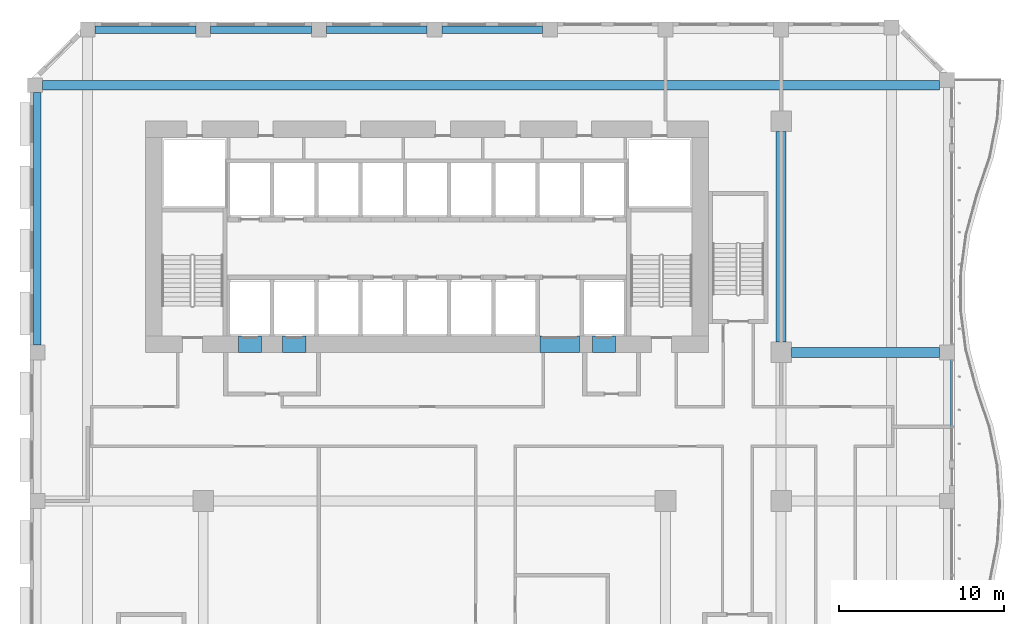
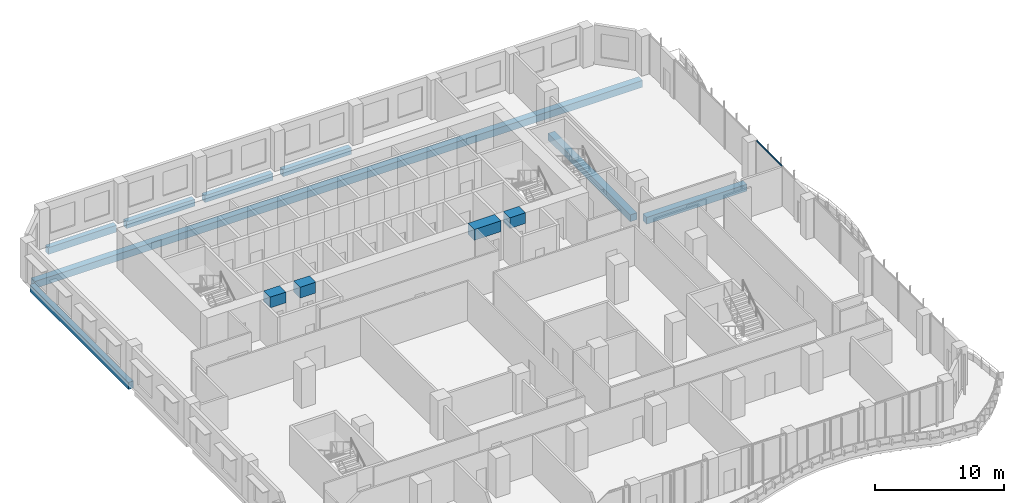
# One storey, part 8 of 26: 12 beams, 1 member, 1 element without a shape of its own.
"""IFC4 building model written with IfcOpenShell, lengths in metres."""

from ifc_helpers import new_model, si_unit, direction, frame, origin, origin_2d, place, context, subcontext, project, spatial, rectangle, extrude, source, transform, mapped, material, material_profile, profile_set, type_object, element, aggregate, save


model = new_model("IFC4")

# Units and contexts
model_context = context("Model", 3, precision=1e-05, world=origin(), true_north=direction((0.0, 1.0)))
body_context = subcontext(model_context, "Body", "Model", "MODEL_VIEW")
ifc_project = project(units=[si_unit("LENGTHUNIT", "METRE"), si_unit("AREAUNIT", "SQUARE_METRE"), si_unit("VOLUMEUNIT", "CUBIC_METRE"), si_unit("PLANEANGLEUNIT", "RADIAN"), si_unit("MASSUNIT", "GRAM", prefix="KILO")], contexts=[model_context])

# Site, building, storey
site_placement = place(None, origin())
site = spatial("IfcSite", under=ifc_project, at=site_placement, CompositionType="ELEMENT")
building_placement = place(site_placement, origin())
building = spatial("IfcBuilding", under=site, at=building_placement, Name="Kilnfold Tower and Market Hall", CompositionType="ELEMENT")
storey_placement = place(building_placement, frame((0.0, 0.0, 83.199951171875)))
storey = spatial("IfcBuildingStorey", under=building, at=storey_placement, Name="L19", CompositionType="ELEMENT", Elevation=83.199951171875)

# Beams
ifc_material_1 = material(Name="Concrete C45", Category="concrete")
ifc_material_profile_1 = material_profile(ifc_material_1, rectangle(XDim=0.449951171875, YDim=0.64990234375, at=origin_2d()), Name="RC 450x650")
ifc_profile_set_1 = profile_set([ifc_material_profile_1], Name="Concrete C45")
beam_type_1 = type_object("IfcBeamType", Name="EDGE BEAM 450X650 C45", PredefinedType="BEAM", material=ifc_profile_set_1)
shared_shape_1 = source(origin(), body_context, "Body", "SweptSolid", [
    extrude(rectangle(XDim=0.449951171875, YDim=0.64990234375, at=origin_2d()), origin(), (0.0, 0.0, 1.0), 6.10009765625),
])
for number, where, z_axis, x_axis, name in (
    (1, (-19.050048828125, 27.550048828125, -0.60498046875), (1.0, 0.0, 0.0), (0.0, 1.0, 0.0), "Beam EB650-B2.75"),
    (2, (-12.050048828125, 27.550048828125, -0.60498046875), (1.0, 0.0, 0.0), (0.0, 1.0, 0.0), "Beam EB650-B2.76"),
    (3, (-5.050048828125, 27.550048828125, -0.60498046875), (1.0, 0.0, 0.0), (0.0, 1.0, 0.0), "Beam EB650-B2.77"),
    (4, (1.949951171875, 27.550048828125, -0.60498046875), (1.0, 0.0, 0.0), (0.0, 1.0, 0.0), "Beam EB650-B2.78"),
):
    element("IfcBeam", number, at=place(storey_placement, frame(where, z_axis=z_axis, x_axis=x_axis)), inside=storey, type_object=beam_type_1, Name=name, PredefinedType="BEAM", context=body_context, shape_type="MappedRepresentation", body=[
        mapped(shared_shape_1, transform((0.0, 0.0, 0.0))),
    ])
ifc_material_2 = material(Name="Concrete C45", Category="concrete")
ifc_material_profile_2 = material_profile(ifc_material_2, rectangle(XDim=0.60009765625, YDim=0.64990234375, at=origin_2d()), Name="RC 600x650")
ifc_profile_set_2 = profile_set([ifc_material_profile_2], Name="Concrete C45")
beam_type_2 = type_object("IfcBeamType", Name="BEAM 600X650 C45", PredefinedType="BEAM", material=ifc_profile_set_2)
shared_shape_2 = source(origin(), body_context, "Body", "SweptSolid", [
    extrude(rectangle(XDim=0.60009765625, YDim=0.64990234375, at=origin_2d()), origin(), (0.0, 0.0, 1.0), 54.331787109375),
])
beam_1_placement = place(storey_placement, frame((-22.231689453125, 24.179931640625, -0.60498046875), z_axis=(1.0, 0.0, 0.0), x_axis=(0.0, 1.0, 0.0)))
element("IfcBeam", 5, at=beam_1_placement, inside=storey, type_object=beam_type_2, Name="Beam BB650-B2.74", PredefinedType="BEAM", context=body_context, shape_type="MappedRepresentation", body=[
    mapped(shared_shape_2, transform((0.0, 0.0, 0.0))),
])
shared_shape_3 = source(origin(), body_context, "Body", "SweptSolid", [
    extrude(rectangle(XDim=0.449951171875, YDim=0.64990234375, at=origin_2d()), origin(), (0.0, 0.0, 1.0), 15.28173828125),
])
beam_2_placement = place(storey_placement, frame((-22.550048828125, 8.449951171875, -0.60498046875), z_axis=(0.0, 1.0, 0.0), x_axis=(-1.0, 0.0, 0.0)))
element("IfcBeam", 6, at=beam_2_placement, inside=storey, type_object=beam_type_1, Name="Beam EB650-B2.41", PredefinedType="BEAM", context=body_context, shape_type="MappedRepresentation", body=[
    mapped(shared_shape_3, transform((0.0, 0.0, 0.0))),
])
ifc_material_3 = material(Name="Concrete C80", Category="concrete")
ifc_material_profile_3 = material_profile(ifc_material_3, rectangle(XDim=1.0, YDim=1.02001953125, at=origin_2d()), Name="RC 1000x1020")
ifc_profile_set_3 = profile_set([ifc_material_profile_3], Name="Concrete C80")
beam_type_3 = type_object("IfcBeamType", Name="COUPLING BEAM 1000X1020 C80", PredefinedType="BEAM", material=ifc_profile_set_3)
shared_shape_4 = source(origin(), body_context, "Body", "SweptSolid", [
    extrude(rectangle(XDim=1.0, YDim=1.02001953125, at=origin_2d()), origin(), (0.0, 0.0, 1.0), 1.400146484375),
])
beam_3_placement = place(storey_placement, frame((-10.3701171875, 8.5, 3.2099609375), z_axis=(1.0, 0.0, 0.0), x_axis=(0.0, 1.0, 0.0)))
element("IfcBeam", 7, at=beam_3_placement, inside=storey, type_object=beam_type_3, Name="Coupling beam CB1020-80-CORE.42", PredefinedType="BEAM", context=body_context, shape_type="MappedRepresentation", body=[
    mapped(shared_shape_4, transform((0.0, 0.0, 0.0))),
])
shared_shape_5 = source(origin(), body_context, "Body", "SweptSolid", [
    extrude(rectangle(XDim=1.0, YDim=1.02001953125, at=origin_2d()), origin(), (0.0, 0.0, 1.0), 1.39990234375),
])
for number, where, z_axis, x_axis, name in (
    (8, (-7.68994140625, 8.5, 3.2099609375), (1.0, 0.0, 0.0), (0.0, 1.0, 0.0), "Coupling beam CB1020-80-CORE.43"),
    (9, (11.070068359375, 8.5, 3.2099609375), (1.0, 0.0, 0.0), (0.0, 1.0, 0.0), "Coupling beam CB1020-80-CORE.45"),
):
    element("IfcBeam", number, at=place(storey_placement, frame(where, z_axis=z_axis, x_axis=x_axis)), inside=storey, type_object=beam_type_3, Name=name, PredefinedType="BEAM", context=body_context, shape_type="MappedRepresentation", body=[
        mapped(shared_shape_5, transform((0.0, 0.0, 0.0))),
    ])
shared_shape_6 = source(origin(), body_context, "Body", "SweptSolid", [
    extrude(rectangle(XDim=1.0, YDim=1.02001953125, at=origin_2d()), origin(), (0.0, 0.0, 1.0), 2.400146484375),
])
beam_4_placement = place(storey_placement, frame((7.889892578125, 8.5, 3.2099609375), z_axis=(1.0, 0.0, 0.0), x_axis=(0.0, 1.0, 0.0)))
element("IfcBeam", 10, at=beam_4_placement, inside=storey, type_object=beam_type_3, Name="Coupling beam CB1020-80-CORE.44", PredefinedType="BEAM", context=body_context, shape_type="MappedRepresentation", body=[
    mapped(shared_shape_6, transform((0.0, 0.0, 0.0))),
])
shared_shape_7 = source(origin(), body_context, "Body", "SweptSolid", [
    extrude(rectangle(XDim=0.60009765625, YDim=0.64990234375, at=origin_2d()), origin(), (0.0, 0.0, 1.0), 8.97509765625),
])
beam_5_placement = place(storey_placement, frame((23.125, 8.0, -0.60498046875), z_axis=(1.0, 0.0, 0.0), x_axis=(0.0, 1.0, 0.0)))
element("IfcBeam", 11, at=beam_5_placement, inside=storey, type_object=beam_type_2, Name="Beam BB650-B2.73", PredefinedType="BEAM", context=body_context, shape_type="MappedRepresentation", body=[
    mapped(shared_shape_7, transform((0.0, 0.0, 0.0))),
])
shared_shape_8 = source(origin(), body_context, "Body", "SweptSolid", [
    extrude(rectangle(XDim=0.60009765625, YDim=0.64990234375, at=origin_2d()), origin(), (0.0, 0.0, 1.0), 12.75),
])
beam_6_placement = place(storey_placement, frame((22.5, 8.625, -0.60498046875), z_axis=(0.0, 1.0, 0.0), x_axis=(-1.0, 0.0, 0.0)))
element("IfcBeam", 12, at=beam_6_placement, inside=storey, type_object=beam_type_2, Name="Beam BB650-B2.97", PredefinedType="BEAM", context=body_context, shape_type="MappedRepresentation", body=[
    mapped(shared_shape_8, transform((0.0, 0.0, 0.0))),
])

# Curtain wall, member
ifc_material_4 = material(Name="Aluminium and double glazing", Category="aluminium")
curtain_wall_type = type_object("IfcCurtainWallType", Name="CW OF1 VALLEY GLAZING", PredefinedType="NOTDEFINED", material=ifc_material_4)
curtain_wall_placement = place(storey_placement, origin())
curtain_wall = element("IfcCurtainWall", 13, at=curtain_wall_placement, inside=storey, type_object=curtain_wall_type, Name="Curtain wall CW1 L19 E", PredefinedType="NOTDEFINED")
ifc_material_5 = material(Name="Aluminium", Category="aluminium")
ifc_material_profile_4 = material_profile(ifc_material_5, rectangle(XDim=0.06005859375, YDim=0.139892578125, at=origin_2d()), Name="TRANSOM 60x140")
ifc_profile_set_4 = profile_set([ifc_material_profile_4], Name="Aluminium")
member_type = type_object("IfcMemberType", Name="TRANSOM 60X140", PredefinedType="USERDEFINED", material=ifc_profile_set_4)
shared_shape_9 = source(origin(), body_context, "Body", "SweptSolid", [
    extrude(rectangle(XDim=0.06005859375, YDim=0.139892578125, at=origin_2d()), origin(), (0.0, 0.0, 1.0), 3.929931640625),
])
member_placement = place(storey_placement, frame((32.85009765625, 3.56005859375, 3.68994140625), z_axis=(0.0, 1.0, 0.0), x_axis=(-1.0, 0.0, 0.0)))
member = element("IfcMember", 14, at=member_placement, type_object=member_type, Name="CW1 transom 1.2", ObjectType="TRANSOM", PredefinedType="USERDEFINED", context=body_context, shape_type="MappedRepresentation", body=[
    mapped(shared_shape_9, transform((0.0, 0.0, 0.0))),
])
aggregate(curtain_wall, [member])

save(model, "model.ifc")
